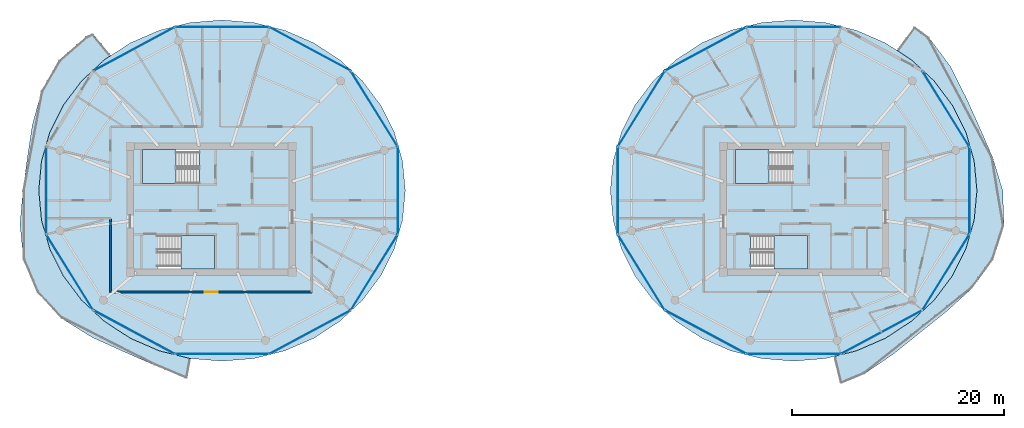
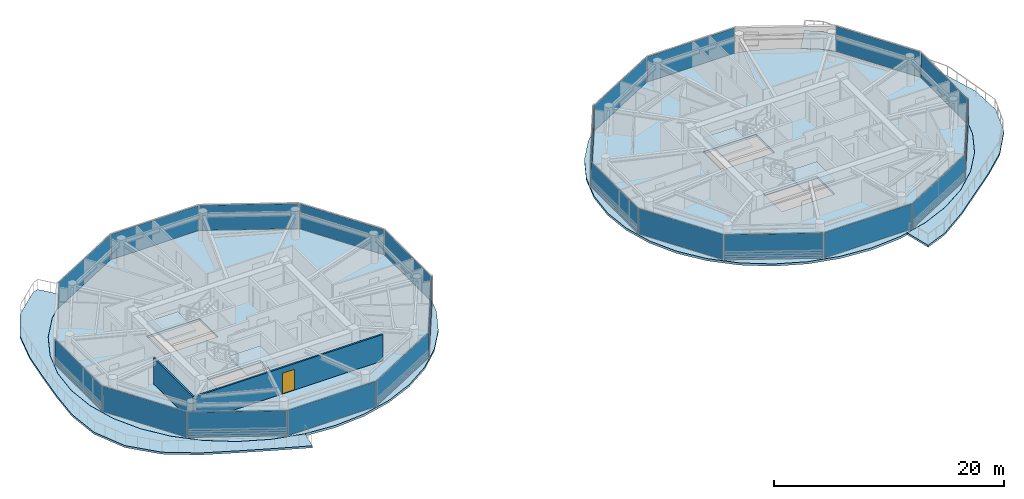
# One storey, part 12 of 23: 22 plates, 8 slabs, 2 walls, 1 door, 1 opening, 26 elements without a shape of their own.
"""IFC4 building model written with IfcOpenShell, lengths in metres."""

from ifc_helpers import new_model, si_unit, direction, frame, frame_2d, origin, origin_2d, place, context, subcontext, project, spatial, polyline, rectangle, outline, extrude, source, transform, mapped, material, layer, layer_set, type_object, type_shapes, element, fill, aggregate, save


model = new_model("IFC4")

# Units and contexts
model_context = context("Model", 3, precision=1e-05, world=origin(), true_north=direction((0.0, 1.0)))
body_context = subcontext(model_context, "Body", "Model", "MODEL_VIEW")
ifc_project = project(units=[si_unit("LENGTHUNIT", "METRE"), si_unit("AREAUNIT", "SQUARE_METRE"), si_unit("VOLUMEUNIT", "CUBIC_METRE"), si_unit("PLANEANGLEUNIT", "RADIAN"), si_unit("MASSUNIT", "GRAM", prefix="KILO")], contexts=[model_context])

# Site, building, storey
site_placement = place(None, origin())
site = spatial("IfcSite", under=ifc_project, at=site_placement, CompositionType="ELEMENT")
building_placement = place(site_placement, origin())
building = spatial("IfcBuilding", under=site, at=building_placement, Name="Norrkilde Senior Care Towers", CompositionType="ELEMENT")
storey_placement = place(building_placement, frame((0.0, 0.0, 164.800048828125)))
storey = spatial("IfcBuildingStorey", under=building, at=storey_placement, Name="L51", CompositionType="ELEMENT", Elevation=164.800048828125)

# Slabs
ifc_material_1 = material(Name="Concrete C50/60", Category="concrete")
ifc_layer_1 = layer(ifc_material_1, 0.215087890625)
ifc_layer_set_1 = layer_set([ifc_layer_1], Name="Concrete C50/60")
slab_type_1 = type_object("IfcSlabType", Name="Sinusoidal Balcony Ribbon Slab 215", PredefinedType="FLOOR", material=ifc_layer_set_1)
slab_1_placement = place(storey_placement, frame((0.0, 0.0, -0.215087890625)))
element("IfcSlab", 1, at=slab_1_placement, inside=storey, type_object=slab_type_1, Name="L51 Drum W Swirling Senior Balcony 1", PredefinedType="FLOOR", context=body_context, shape_type="SweptSolid", body=[
    extrude(outline(polyline([(-33.35009765625, -14.70654296875), (-36.295654296875, -13.415771484375), (-39.271728515625, -12.064453125), (-42.127685546875, -10.28662109375), (-44.41796875, -7.80126953125), (-45.72998046875, -4.708251953125), (-46.046875, -1.406005859375), (-45.77294921875, 1.775390625), (-45.361083984375, 4.82666015625), (-44.894287109375, 7.93212890625), (-44.03076171875, 11.11181640625), (-42.359130859375, 14.046142578125), (-39.798583984375, 16.289794921875), (-39.160888671875, 16.5693359375), (-37.472900390625, 14.52001953125), (-38.098388671875, 14.112548828125), (-40.2314453125, 12.12744140625), (-41.961669921875, 9.827880859375), (-43.236328125, 7.28369140625), (-44.01708984375, 4.572021484375), (-44.280029296875, 1.775390625), (-44.01708984375, -1.021240234375), (-43.236328125, -3.73291015625), (-41.961669921875, -6.277099609375), (-40.2314453125, -8.57666015625), (-38.098388671875, -10.561767578125), (-35.62744140625, -12.171875), (-32.8935546875, -13.3583984375), (-29.97998046875, -14.0849609375), (-29.92431640625, -14.089599609375), (-30.27880859375, -15.995849609375), (-30.29296875, -15.991943359375), (-33.35009765625, -14.70654296875)])), origin(), (0.0, 0.0, 1.0), 0.215087890625),
])
slab_2_placement = place(storey_placement, frame((0.0, 0.0, -0.215087890625)))
element("IfcSlab", 2, at=slab_2_placement, inside=storey, type_object=slab_type_1, Name="L51 Drum E Swirling Senior Balcony 1", PredefinedType="FLOOR", context=body_context, shape_type="SweptSolid", body=[
    extrude(outline(polyline([(43.831787109375, -7.4375), (41.406005859375, -9.635986328125), (38.92724609375, -11.62353515625), (36.415283203125, -13.63818359375), (33.6337890625, -15.5439453125), (31.413818359375, -16.460693359375), (30.78662109375, -13.8837890625), (32.8935546875, -13.3583984375), (35.62744140625, -12.171875), (38.098388671875, -10.561767578125), (40.2314453125, -8.57666015625), (41.961669921875, -6.277099609375), (43.236328125, -3.73291015625), (44.01708984375, -1.021240234375), (44.280029296875, 1.775390625), (44.01708984375, 4.572021484375), (43.236328125, 7.28369140625), (41.961669921875, 9.827880859375), (40.2314453125, 12.12744140625), (38.098388671875, 14.112548828125), (36.7373046875, 14.99951171875), (38.386962890625, 17.234130859375), (39.746337890625, 16.222900390625), (41.765625, 13.510986328125), (43.230224609375, 10.614990234375), (44.510498046875, 7.781982421875), (45.76611328125, 4.9033203125), (46.71533203125, 1.775390625), (46.83203125, -1.5546875), (45.80908203125, -4.7392578125), (43.831787109375, -7.4375)])), origin(), (0.0, 0.0, 1.0), 0.215087890625),
])

# Stair, slab
ifc_material_2 = material(Name="Concrete C45/55", Category="concrete")
stair_type = type_object("IfcStairType", Name="Core Protected Dogleg Stair Typical 3050", PredefinedType="HALF_TURN_STAIR", material=ifc_material_2)
stair_1_placement = place(storey_placement, origin())
stair_1 = element("IfcStair", 3, at=stair_1_placement, inside=storey, type_object=stair_type, Name="L51 Protected Core Stair W1", PredefinedType="HALF_TURN_STAIR")
ifc_layer_2 = layer(ifc_material_2, 0.199951171875)
ifc_layer_set_2 = layer_set([ifc_layer_2], Name="Concrete C45/55")
slab_type_2 = type_object("IfcSlabType", Name="Stair Landing Slab 200", PredefinedType="LANDING", material=ifc_layer_set_2)
slab_3_placement = place(storey_placement, frame((0.0, 0.0, 1.324951171875)))
slab_3 = element("IfcSlab", 4, at=slab_3_placement, type_object=slab_type_2, Name="ST-W1 landing 1", PredefinedType="LANDING", context=body_context, shape_type="SweptSolid", body=[
    extrude(outline(polyline([(-31.340087890625, 5.639892578125), (-34.5, 5.639892578125), (-34.5, 2.449951171875), (-31.340087890625, 2.449951171875), (-31.340087890625, 5.639892578125)])), origin(), (0.0, 0.0, 1.0), 0.199951171875),
])
aggregate(stair_1, [slab_3])

stair_2_placement = place(storey_placement, origin())
stair_2 = element("IfcStair", 5, at=stair_2_placement, inside=storey, type_object=stair_type, Name="L51 Protected Core Stair W2", PredefinedType="HALF_TURN_STAIR")
slab_4_placement = place(storey_placement, frame((0.0, 0.0, 1.324951171875)))
slab_4 = element("IfcSlab", 6, at=slab_4_placement, type_object=slab_type_2, Name="ST-W2 landing 1", PredefinedType="LANDING", context=body_context, shape_type="SweptSolid", body=[
    extrude(outline(polyline([(-30.860107421875, -5.639892578125), (-27.699951171875, -5.639892578125), (-27.699951171875, -2.449951171875), (-30.860107421875, -2.449951171875), (-30.860107421875, -5.639892578125)])), origin(), (0.0, 0.0, 1.0), 0.199951171875),
])
aggregate(stair_2, [slab_4])

stair_3_placement = place(storey_placement, origin())
stair_3 = element("IfcStair", 7, at=stair_3_placement, inside=storey, type_object=stair_type, Name="L51 Protected Core Stair E1", PredefinedType="HALF_TURN_STAIR")
slab_5_placement = place(storey_placement, frame((0.0, 0.0, 1.324951171875)))
slab_5 = element("IfcSlab", 8, at=slab_5_placement, type_object=slab_type_2, Name="ST-E1 landing 1", PredefinedType="LANDING", context=body_context, shape_type="SweptSolid", body=[
    extrude(outline(polyline([(24.659912109375, 5.639892578125), (21.5, 5.639892578125), (21.5, 2.449951171875), (24.659912109375, 2.449951171875), (24.659912109375, 5.639892578125)])), origin(), (0.0, 0.0, 1.0), 0.199951171875),
])
aggregate(stair_3, [slab_5])

stair_4_placement = place(storey_placement, origin())
stair_4 = element("IfcStair", 9, at=stair_4_placement, inside=storey, type_object=stair_type, Name="L51 Protected Core Stair E2", PredefinedType="HALF_TURN_STAIR")
slab_6_placement = place(storey_placement, frame((0.0, 0.0, 1.324951171875)))
slab_6 = element("IfcSlab", 10, at=slab_6_placement, type_object=slab_type_2, Name="ST-E2 landing 1", PredefinedType="LANDING", context=body_context, shape_type="SweptSolid", body=[
    extrude(outline(polyline([(25.139892578125, -5.639892578125), (28.300048828125, -5.639892578125), (28.300048828125, -2.449951171875), (25.139892578125, -2.449951171875), (25.139892578125, -5.639892578125)])), origin(), (0.0, 0.0, 1.0), 0.199951171875),
])
aggregate(stair_4, [slab_6])

# Slabs
ifc_layer_3 = layer(ifc_material_1, 0.239990234375)
ifc_layer_set_3 = layer_set([ifc_layer_3], Name="Concrete C50/60")
slab_type_3 = type_object("IfcSlabType", Name="Tower Residence Floor Slab 240", PredefinedType="FLOOR", material=ifc_layer_set_3)
slab_7_placement = place(storey_placement, frame((0.0, 0.0, -0.239990234375)))
element("IfcSlab", 11, at=slab_7_placement, inside=storey, type_object=slab_type_3, Name="L51 Drum W Structural Floor Slab", PredefinedType="FLOOR", context=body_context, shape_type="SweptSolid", body=[
    extrude(outline(polyline([(-10.71826171875, -3.731201171875), (-11.99267578125, -6.274658203125), (-13.722412109375, -8.573486328125), (-15.854736328125, -10.557861328125), (-18.324951171875, -12.167724609375), (-21.05810546875, -13.353759765625), (-23.970947265625, -14.080078125), (-26.97509765625, -14.32470703125), (-29.97900390625, -14.080078125), (-32.891845703125, -13.353759765625), (-35.625, -12.167724609375), (-38.09521484375, -10.557861328125), (-40.2275390625, -8.573486328125), (-41.957275390625, -6.274658203125), (-43.231689453125, -3.731201171875), (-44.01220703125, -1.020263671875), (-44.27490234375, 1.775390625), (-44.01220703125, 4.571044921875), (-43.231689453125, 7.281982421875), (-41.957275390625, 9.825439453125), (-40.2275390625, 12.124267578125), (-38.09521484375, 14.108642578125), (-35.625, 15.71826171875), (-32.891845703125, 16.904296875), (-29.97900390625, 17.630859375), (-26.97509765625, 17.875244140625), (-23.970947265625, 17.630859375), (-21.05810546875, 16.904296875), (-18.324951171875, 15.71826171875), (-15.854736328125, 14.108642578125), (-13.722412109375, 12.124267578125), (-11.99267578125, 9.825439453125), (-10.71826171875, 7.281982421875), (-9.937744140625, 4.571044921875), (-9.675048828125, 1.775390625), (-9.937744140625, -1.020263671875), (-10.71826171875, -3.731201171875)]), holes=[polyline([(-34.48193359375, 2.468017578125), (-29.117919921875, 2.468017578125), (-29.117919921875, 5.639892578125), (-34.48193359375, 5.639892578125), (-34.48193359375, 2.468017578125)]), polyline([(-27.718017578125, -5.639892578125), (-27.718017578125, -2.468017578125), (-33.08203125, -2.468017578125), (-33.08203125, -5.639892578125), (-27.718017578125, -5.639892578125)])]), origin(), (0.0, 0.0, 1.0), 0.239990234375),
])
slab_8_placement = place(storey_placement, frame((0.0, 0.0, -0.239990234375)))
element("IfcSlab", 12, at=slab_8_placement, inside=storey, type_object=slab_type_3, Name="L51 Drum E Structural Floor Slab", PredefinedType="FLOOR", context=body_context, shape_type="SweptSolid", body=[
    extrude(outline(polyline([(43.231689453125, -3.731201171875), (41.957275390625, -6.274658203125), (40.2275390625, -8.573486328125), (38.09521484375, -10.557861328125), (35.625, -12.167724609375), (32.891845703125, -13.353759765625), (29.97900390625, -14.080078125), (26.97509765625, -14.32470703125), (23.970947265625, -14.080078125), (21.05810546875, -13.353759765625), (18.324951171875, -12.167724609375), (15.854736328125, -10.557861328125), (13.722412109375, -8.573486328125), (11.99267578125, -6.274658203125), (10.71826171875, -3.731201171875), (9.937744140625, -1.020263671875), (9.675048828125, 1.775390625), (9.937744140625, 4.571044921875), (10.71826171875, 7.281982421875), (11.99267578125, 9.825439453125), (13.722412109375, 12.124267578125), (15.854736328125, 14.108642578125), (18.324951171875, 15.71826171875), (21.05810546875, 16.904296875), (23.970947265625, 17.630859375), (26.97509765625, 17.875244140625), (29.97900390625, 17.630859375), (32.891845703125, 16.904296875), (35.625, 15.71826171875), (38.09521484375, 14.108642578125), (40.2275390625, 12.124267578125), (41.957275390625, 9.825439453125), (43.231689453125, 7.281982421875), (44.01220703125, 4.571044921875), (44.27490234375, 1.775390625), (44.01220703125, -1.020263671875), (43.231689453125, -3.731201171875)]), holes=[polyline([(21.51806640625, 2.468017578125), (26.882080078125, 2.468017578125), (26.882080078125, 5.639892578125), (21.51806640625, 5.639892578125), (21.51806640625, 2.468017578125)]), polyline([(28.281982421875, -5.639892578125), (28.281982421875, -2.468017578125), (22.91796875, -2.468017578125), (22.91796875, -5.639892578125), (28.281982421875, -5.639892578125)])]), origin(), (0.0, 0.0, 1.0), 0.239990234375),
])

# Curtain wall, plate
ifc_material_3 = material(Name="Triple Low-E Insulated Glazing", Category="glass")
ifc_layer_4 = layer(ifc_material_3, 0.18994140625)
ifc_layer_set_4 = layer_set([ifc_layer_4], Name="Triple Low-E Insulated Glazing")
curtain_wall_type = type_object("IfcCurtainWallType", Name="CW4 Zone 3 Senior Residence Curtain Wall", PredefinedType="NOTDEFINED", material=ifc_layer_set_4)
curtain_wall_1_placement = place(storey_placement, origin())
curtain_wall_1 = element("IfcCurtainWall", 13, at=curtain_wall_1_placement, inside=storey, type_object=curtain_wall_type, Name="L51 Drum W Curtain Wall 00", PredefinedType="NOTDEFINED")
ifc_layer_5 = layer(ifc_material_3, 0.035888671875)
ifc_layer_set_5 = layer_set([ifc_layer_5], Name="Triple Low-E Insulated Glazing")
plate_type = type_object("IfcPlateType", Name="Triple Low-E Vision Curtain Panel 36", PredefinedType="CURTAIN_PANEL", material=ifc_layer_set_5)
shared_shape_1 = source(origin(), body_context, "Body", "SweptSolid", [
    extrude(rectangle(XDim=8.301513671875, YDim=0.035888671875, at=origin_2d()), origin(), (0.0, 0.0, 1.0), 2.68994140625),
])
plate_1_placement = place(storey_placement, frame((-12.603759765625, 9.4931640625, 0.06005859375), z_axis=(0.0, 0.0, 1.0), x_axis=(0.52737270789, -0.84963405474, 0.0)))
plate_1 = element("IfcPlate", 14, at=plate_1_placement, type_object=plate_type, Name="CW-4 panel 1.1", PredefinedType="CURTAIN_PANEL", context=body_context, shape_type="MappedRepresentation", body=[
    mapped(shared_shape_1, transform((0.0, 0.0, 0.0), x_axis=(1.0, 0.0, 0.0), y_axis=(0.0, 1.0, 0.0), z_axis=(0.0, 0.0, 1.0), scale=1.0)),
])
aggregate(curtain_wall_1, [plate_1])

curtain_wall_2_placement = place(storey_placement, origin())
curtain_wall_2 = element("IfcCurtainWall", 15, at=curtain_wall_2_placement, inside=storey, type_object=curtain_wall_type, Name="L51 Drum W Curtain Wall 06", PredefinedType="NOTDEFINED")
plate_2_placement = place(storey_placement, frame((-41.346435546875, -5.9423828125, 0.06005859375), z_axis=(0.0, 0.0, 1.0), x_axis=(-0.52737270789, 0.84963405474, 0.0)))
plate_2 = element("IfcPlate", 16, at=plate_2_placement, type_object=plate_type, Name="CW-4 panel 1.1", PredefinedType="CURTAIN_PANEL", context=body_context, shape_type="MappedRepresentation", body=[
    mapped(shared_shape_1, transform((0.0, 0.0, 0.0), x_axis=(1.0, 0.0, 0.0), y_axis=(0.0, 1.0, 0.0), z_axis=(0.0, 0.0, 1.0), scale=1.0)),
])
aggregate(curtain_wall_2, [plate_2])

curtain_wall_3_placement = place(storey_placement, origin())
curtain_wall_3 = element("IfcCurtainWall", 17, at=curtain_wall_3_placement, inside=storey, type_object=curtain_wall_type, Name="L51 Drum W Curtain Wall 10", PredefinedType="NOTDEFINED")
plate_3_placement = place(storey_placement, frame((-12.603759765625, -5.9423828125, 0.06005859375), z_axis=(0.0, 0.0, 1.0), x_axis=(-0.52737270789, -0.84963405474, 0.0)))
plate_3 = element("IfcPlate", 18, at=plate_3_placement, type_object=plate_type, Name="CW-4 panel 1.1", PredefinedType="CURTAIN_PANEL", context=body_context, shape_type="MappedRepresentation", body=[
    mapped(shared_shape_1, transform((0.0, 0.0, 0.0), x_axis=(1.0, 0.0, 0.0), y_axis=(0.0, 1.0, 0.0), z_axis=(0.0, 0.0, 1.0), scale=1.0)),
])
aggregate(curtain_wall_3, [plate_3])

curtain_wall_4_placement = place(storey_placement, origin())
curtain_wall_4 = element("IfcCurtainWall", 19, at=curtain_wall_4_placement, inside=storey, type_object=curtain_wall_type, Name="L51 Drum E Curtain Wall 00", PredefinedType="NOTDEFINED")
plate_4_placement = place(storey_placement, frame((41.346435546875, 9.4931640625, 0.06005859375), z_axis=(0.0, 0.0, 1.0), x_axis=(0.52737270789, -0.84963405474, 0.0)))
plate_4 = element("IfcPlate", 20, at=plate_4_placement, type_object=plate_type, Name="CW-4 panel 1.1", PredefinedType="CURTAIN_PANEL", context=body_context, shape_type="MappedRepresentation", body=[
    mapped(shared_shape_1, transform((0.0, 0.0, 0.0), x_axis=(1.0, 0.0, 0.0), y_axis=(0.0, 1.0, 0.0), z_axis=(0.0, 0.0, 1.0), scale=1.0)),
])
aggregate(curtain_wall_4, [plate_4])

curtain_wall_5_placement = place(storey_placement, origin())
curtain_wall_5 = element("IfcCurtainWall", 21, at=curtain_wall_5_placement, inside=storey, type_object=curtain_wall_type, Name="L51 Drum E Curtain Wall 04", PredefinedType="NOTDEFINED")
plate_5_placement = place(storey_placement, frame((12.603759765625, 9.4931640625, 0.06005859375), z_axis=(0.0, 0.0, 1.0), x_axis=(0.52737270789, 0.84963405474, 0.0)))
plate_5 = element("IfcPlate", 22, at=plate_5_placement, type_object=plate_type, Name="CW-4 panel 1.1", PredefinedType="CURTAIN_PANEL", context=body_context, shape_type="MappedRepresentation", body=[
    mapped(shared_shape_1, transform((0.0, 0.0, 0.0), x_axis=(1.0, 0.0, 0.0), y_axis=(0.0, 1.0, 0.0), z_axis=(0.0, 0.0, 1.0), scale=1.0)),
])
aggregate(curtain_wall_5, [plate_5])

curtain_wall_6_placement = place(storey_placement, origin())
curtain_wall_6 = element("IfcCurtainWall", 23, at=curtain_wall_6_placement, inside=storey, type_object=curtain_wall_type, Name="L51 Drum E Curtain Wall 06", PredefinedType="NOTDEFINED")
plate_6_placement = place(storey_placement, frame((12.603759765625, -5.9423828125, 0.06005859375), z_axis=(0.0, 0.0, 1.0), x_axis=(-0.52737270789, 0.84963405474, 0.0)))
plate_6 = element("IfcPlate", 24, at=plate_6_placement, type_object=plate_type, Name="CW-4 panel 1.1", PredefinedType="CURTAIN_PANEL", context=body_context, shape_type="MappedRepresentation", body=[
    mapped(shared_shape_1, transform((0.0, 0.0, 0.0), x_axis=(1.0, 0.0, 0.0), y_axis=(0.0, 1.0, 0.0), z_axis=(0.0, 0.0, 1.0), scale=1.0)),
])
aggregate(curtain_wall_6, [plate_6])

curtain_wall_7_placement = place(storey_placement, origin())
curtain_wall_7 = element("IfcCurtainWall", 25, at=curtain_wall_7_placement, inside=storey, type_object=curtain_wall_type, Name="L51 Drum E Curtain Wall 10", PredefinedType="NOTDEFINED")
plate_7_placement = place(storey_placement, frame((41.346435546875, -5.9423828125, 0.06005859375), z_axis=(0.0, 0.0, 1.0), x_axis=(-0.52737270789, -0.84963405474, 0.0)))
plate_7 = element("IfcPlate", 26, at=plate_7_placement, type_object=plate_type, Name="CW-4 panel 1.1", PredefinedType="CURTAIN_PANEL", context=body_context, shape_type="MappedRepresentation", body=[
    mapped(shared_shape_1, transform((0.0, 0.0, 0.0), x_axis=(1.0, 0.0, 0.0), y_axis=(0.0, 1.0, 0.0), z_axis=(0.0, 0.0, 1.0), scale=1.0)),
])
aggregate(curtain_wall_7, [plate_7])

curtain_wall_8_placement = place(storey_placement, origin())
curtain_wall_8 = element("IfcCurtainWall", 27, at=curtain_wall_8_placement, inside=storey, type_object=curtain_wall_type, Name="L51 Drum W Curtain Wall 01", PredefinedType="NOTDEFINED")
shared_shape_2 = source(origin(), body_context, "Body", "SweptSolid", [
    extrude(rectangle(XDim=8.61181640625, YDim=0.035888671875, at=origin_2d()), origin(), (0.0, 0.0, 1.0), 2.68994140625),
])
plate_8_placement = place(storey_placement, frame((-18.677734375, 15.142822265625, 0.06005859375), z_axis=(0.0, 0.0, 1.0), x_axis=(0.880999524059, -0.47311715104, 0.0)))
plate_8 = element("IfcPlate", 28, at=plate_8_placement, type_object=plate_type, Name="CW-4 panel 1.1", PredefinedType="CURTAIN_PANEL", context=body_context, shape_type="MappedRepresentation", body=[
    mapped(shared_shape_2, transform((0.0, 0.0, 0.0), x_axis=(1.0, 0.0, 0.0), y_axis=(0.0, 1.0, 0.0), z_axis=(0.0, 0.0, 1.0), scale=1.0)),
])
aggregate(curtain_wall_8, [plate_8])

curtain_wall_9_placement = place(storey_placement, origin())
curtain_wall_9 = element("IfcCurtainWall", 29, at=curtain_wall_9_placement, inside=storey, type_object=curtain_wall_type, Name="L51 Drum W Curtain Wall 03", PredefinedType="NOTDEFINED")
plate_9_placement = place(storey_placement, frame((-35.272216796875, 15.142822265625, 0.06005859375), z_axis=(0.0, 0.0, 1.0), x_axis=(0.880999524059, 0.47311715104, 0.0)))
plate_9 = element("IfcPlate", 30, at=plate_9_placement, type_object=plate_type, Name="CW-4 panel 1.1", PredefinedType="CURTAIN_PANEL", context=body_context, shape_type="MappedRepresentation", body=[
    mapped(shared_shape_2, transform((0.0, 0.0, 0.0), x_axis=(1.0, 0.0, 0.0), y_axis=(0.0, 1.0, 0.0), z_axis=(0.0, 0.0, 1.0), scale=1.0)),
])
aggregate(curtain_wall_9, [plate_9])

curtain_wall_10_placement = place(storey_placement, origin())
curtain_wall_10 = element("IfcCurtainWall", 31, at=curtain_wall_10_placement, inside=storey, type_object=curtain_wall_type, Name="L51 Drum W Curtain Wall 07", PredefinedType="NOTDEFINED")
plate_10_placement = place(storey_placement, frame((-35.272216796875, -11.59228515625, 0.06005859375), z_axis=(0.0, 0.0, 1.0), x_axis=(-0.880999524059, 0.47311715104, 0.0)))
plate_10 = element("IfcPlate", 32, at=plate_10_placement, type_object=plate_type, Name="CW-4 panel 1.1", PredefinedType="CURTAIN_PANEL", context=body_context, shape_type="MappedRepresentation", body=[
    mapped(shared_shape_2, transform((0.0, 0.0, 0.0), x_axis=(1.0, 0.0, 0.0), y_axis=(0.0, 1.0, 0.0), z_axis=(0.0, 0.0, 1.0), scale=1.0)),
])
aggregate(curtain_wall_10, [plate_10])

curtain_wall_11_placement = place(storey_placement, origin())
curtain_wall_11 = element("IfcCurtainWall", 33, at=curtain_wall_11_placement, inside=storey, type_object=curtain_wall_type, Name="L51 Drum W Curtain Wall 09", PredefinedType="NOTDEFINED")
plate_11_placement = place(storey_placement, frame((-18.677734375, -11.59228515625, 0.06005859375), z_axis=(0.0, 0.0, 1.0), x_axis=(-0.880999524059, -0.47311715104, 0.0)))
plate_11 = element("IfcPlate", 34, at=plate_11_placement, type_object=plate_type, Name="CW-4 panel 1.1", PredefinedType="CURTAIN_PANEL", context=body_context, shape_type="MappedRepresentation", body=[
    mapped(shared_shape_2, transform((0.0, 0.0, 0.0), x_axis=(1.0, 0.0, 0.0), y_axis=(0.0, 1.0, 0.0), z_axis=(0.0, 0.0, 1.0), scale=1.0)),
])
aggregate(curtain_wall_11, [plate_11])

curtain_wall_12_placement = place(storey_placement, origin())
curtain_wall_12 = element("IfcCurtainWall", 35, at=curtain_wall_12_placement, inside=storey, type_object=curtain_wall_type, Name="L51 Drum E Curtain Wall 03", PredefinedType="NOTDEFINED")
plate_12_placement = place(storey_placement, frame((18.677734375, 15.142822265625, 0.06005859375), z_axis=(0.0, 0.0, 1.0), x_axis=(0.880999524059, 0.47311715104, 0.0)))
plate_12 = element("IfcPlate", 36, at=plate_12_placement, type_object=plate_type, Name="CW-4 panel 1.1", PredefinedType="CURTAIN_PANEL", context=body_context, shape_type="MappedRepresentation", body=[
    mapped(shared_shape_2, transform((0.0, 0.0, 0.0), x_axis=(1.0, 0.0, 0.0), y_axis=(0.0, 1.0, 0.0), z_axis=(0.0, 0.0, 1.0), scale=1.0)),
])
aggregate(curtain_wall_12, [plate_12])

curtain_wall_13_placement = place(storey_placement, origin())
curtain_wall_13 = element("IfcCurtainWall", 37, at=curtain_wall_13_placement, inside=storey, type_object=curtain_wall_type, Name="L51 Drum E Curtain Wall 07", PredefinedType="NOTDEFINED")
plate_13_placement = place(storey_placement, frame((18.677734375, -11.59228515625, 0.06005859375), z_axis=(0.0, 0.0, 1.0), x_axis=(-0.880999524059, 0.47311715104, 0.0)))
plate_13 = element("IfcPlate", 38, at=plate_13_placement, type_object=plate_type, Name="CW-4 panel 1.1", PredefinedType="CURTAIN_PANEL", context=body_context, shape_type="MappedRepresentation", body=[
    mapped(shared_shape_2, transform((0.0, 0.0, 0.0), x_axis=(1.0, 0.0, 0.0), y_axis=(0.0, 1.0, 0.0), z_axis=(0.0, 0.0, 1.0), scale=1.0)),
])
aggregate(curtain_wall_13, [plate_13])

curtain_wall_14_placement = place(storey_placement, origin())
curtain_wall_14 = element("IfcCurtainWall", 39, at=curtain_wall_14_placement, inside=storey, type_object=curtain_wall_type, Name="L51 Drum E Curtain Wall 09", PredefinedType="NOTDEFINED")
plate_14_placement = place(storey_placement, frame((35.272216796875, -11.59228515625, 0.06005859375), z_axis=(0.0, 0.0, 1.0), x_axis=(-0.880999524059, -0.47311715104, 0.0)))
plate_14 = element("IfcPlate", 40, at=plate_14_placement, type_object=plate_type, Name="CW-4 panel 1.1", PredefinedType="CURTAIN_PANEL", context=body_context, shape_type="MappedRepresentation", body=[
    mapped(shared_shape_2, transform((0.0, 0.0, 0.0), x_axis=(1.0, 0.0, 0.0), y_axis=(0.0, 1.0, 0.0), z_axis=(0.0, 0.0, 1.0), scale=1.0)),
])
aggregate(curtain_wall_14, [plate_14])

curtain_wall_15_placement = place(storey_placement, origin())
curtain_wall_15 = element("IfcCurtainWall", 41, at=curtain_wall_15_placement, inside=storey, type_object=curtain_wall_type, Name="L51 Drum W Curtain Wall 02", PredefinedType="NOTDEFINED")
shared_shape_3 = source(origin(), body_context, "Body", "SweptSolid", [
    extrude(rectangle(XDim=8.762939453125, YDim=0.035888671875, at=origin_2d()), origin(), (0.0, 0.0, 1.0), 2.68994140625),
])
plate_15_placement = place(storey_placement, frame((-26.97509765625, 17.2109375, 0.06005859375), z_axis=(0.0, 0.0, 1.0), x_axis=(1.0, 0.0, 0.0)))
plate_15 = element("IfcPlate", 42, at=plate_15_placement, type_object=plate_type, Name="CW-4 panel 1.1", PredefinedType="CURTAIN_PANEL", context=body_context, shape_type="MappedRepresentation", body=[
    mapped(shared_shape_3, transform((0.0, 0.0, 0.0), x_axis=(1.0, 0.0, 0.0), y_axis=(0.0, 1.0, 0.0), z_axis=(0.0, 0.0, 1.0), scale=1.0)),
])
aggregate(curtain_wall_15, [plate_15])

curtain_wall_16_placement = place(storey_placement, origin())
curtain_wall_16 = element("IfcCurtainWall", 43, at=curtain_wall_16_placement, inside=storey, type_object=curtain_wall_type, Name="L51 Drum W Curtain Wall 08", PredefinedType="NOTDEFINED")
plate_16_placement = place(storey_placement, frame((-26.97509765625, -13.66015625, 0.06005859375), z_axis=(0.0, 0.0, 1.0), x_axis=(-1.0, 0.0, 0.0)))
plate_16 = element("IfcPlate", 44, at=plate_16_placement, type_object=plate_type, Name="CW-4 panel 1.1", PredefinedType="CURTAIN_PANEL", context=body_context, shape_type="MappedRepresentation", body=[
    mapped(shared_shape_3, transform((0.0, 0.0, 0.0), x_axis=(1.0, 0.0, 0.0), y_axis=(0.0, 1.0, 0.0), z_axis=(0.0, 0.0, 1.0), scale=1.0)),
])
aggregate(curtain_wall_16, [plate_16])

curtain_wall_17_placement = place(storey_placement, origin())
curtain_wall_17 = element("IfcCurtainWall", 45, at=curtain_wall_17_placement, inside=storey, type_object=curtain_wall_type, Name="L51 Drum E Curtain Wall 02", PredefinedType="NOTDEFINED")
plate_17_placement = place(storey_placement, frame((26.97509765625, 17.2109375, 0.06005859375), z_axis=(0.0, 0.0, 1.0), x_axis=(1.0, 0.0, 0.0)))
plate_17 = element("IfcPlate", 46, at=plate_17_placement, type_object=plate_type, Name="CW-4 panel 1.1", PredefinedType="CURTAIN_PANEL", context=body_context, shape_type="MappedRepresentation", body=[
    mapped(shared_shape_3, transform((0.0, 0.0, 0.0), x_axis=(1.0, 0.0, 0.0), y_axis=(0.0, 1.0, 0.0), z_axis=(0.0, 0.0, 1.0), scale=1.0)),
])
aggregate(curtain_wall_17, [plate_17])

curtain_wall_18_placement = place(storey_placement, origin())
curtain_wall_18 = element("IfcCurtainWall", 47, at=curtain_wall_18_placement, inside=storey, type_object=curtain_wall_type, Name="L51 Drum E Curtain Wall 08", PredefinedType="NOTDEFINED")
plate_18_placement = place(storey_placement, frame((26.97509765625, -13.66015625, 0.06005859375), z_axis=(0.0, 0.0, 1.0), x_axis=(-1.0, 0.0, 0.0)))
plate_18 = element("IfcPlate", 48, at=plate_18_placement, type_object=plate_type, Name="CW-4 panel 1.1", PredefinedType="CURTAIN_PANEL", context=body_context, shape_type="MappedRepresentation", body=[
    mapped(shared_shape_3, transform((0.0, 0.0, 0.0), x_axis=(1.0, 0.0, 0.0), y_axis=(0.0, 1.0, 0.0), z_axis=(0.0, 0.0, 1.0), scale=1.0)),
])
aggregate(curtain_wall_18, [plate_18])

curtain_wall_19_placement = place(storey_placement, origin())
curtain_wall_19 = element("IfcCurtainWall", 49, at=curtain_wall_19_placement, inside=storey, type_object=curtain_wall_type, Name="L51 Drum W Curtain Wall 05", PredefinedType="NOTDEFINED")
shared_shape_4 = source(origin(), body_context, "Body", "SweptSolid", [
    extrude(rectangle(XDim=8.141845703125, YDim=0.035888671875, at=origin_2d()), origin(), (0.0, 0.0, 1.0), 2.68994140625),
])
type_shapes(plate_type, [shared_shape_1, shared_shape_2, shared_shape_3, shared_shape_4])
plate_19_placement = place(storey_placement, frame((-43.569580078125, 1.775390625, 0.06005859375), z_axis=(0.0, 0.0, 1.0), x_axis=(0.0, 1.0, 0.0)))
plate_19 = element("IfcPlate", 50, at=plate_19_placement, type_object=plate_type, Name="CW-4 panel 1.1", PredefinedType="CURTAIN_PANEL", context=body_context, shape_type="MappedRepresentation", body=[
    mapped(shared_shape_4, transform((0.0, 0.0, 0.0), x_axis=(1.0, 0.0, 0.0), y_axis=(0.0, 1.0, 0.0), z_axis=(0.0, 0.0, 1.0), scale=1.0)),
])
aggregate(curtain_wall_19, [plate_19])

curtain_wall_20_placement = place(storey_placement, origin())
curtain_wall_20 = element("IfcCurtainWall", 51, at=curtain_wall_20_placement, inside=storey, type_object=curtain_wall_type, Name="L51 Drum W Curtain Wall 11", PredefinedType="NOTDEFINED")
plate_20_placement = place(storey_placement, frame((-10.38037109375, 1.775390625, 0.06005859375), z_axis=(0.0, 0.0, 1.0), x_axis=(0.0, -1.0, 0.0)))
plate_20 = element("IfcPlate", 52, at=plate_20_placement, type_object=plate_type, Name="CW-4 panel 1.1", PredefinedType="CURTAIN_PANEL", context=body_context, shape_type="MappedRepresentation", body=[
    mapped(shared_shape_4, transform((0.0, 0.0, 0.0), x_axis=(1.0, 0.0, 0.0), y_axis=(0.0, 1.0, 0.0), z_axis=(0.0, 0.0, 1.0), scale=1.0)),
])
aggregate(curtain_wall_20, [plate_20])

curtain_wall_21_placement = place(storey_placement, origin())
curtain_wall_21 = element("IfcCurtainWall", 53, at=curtain_wall_21_placement, inside=storey, type_object=curtain_wall_type, Name="L51 Drum E Curtain Wall 05", PredefinedType="NOTDEFINED")
plate_21_placement = place(storey_placement, frame((10.38037109375, 1.775390625, 0.06005859375), z_axis=(0.0, 0.0, 1.0), x_axis=(0.0, 1.0, 0.0)))
plate_21 = element("IfcPlate", 54, at=plate_21_placement, type_object=plate_type, Name="CW-4 panel 1.1", PredefinedType="CURTAIN_PANEL", context=body_context, shape_type="MappedRepresentation", body=[
    mapped(shared_shape_4, transform((0.0, 0.0, 0.0), x_axis=(1.0, 0.0, 0.0), y_axis=(0.0, 1.0, 0.0), z_axis=(0.0, 0.0, 1.0), scale=1.0)),
])
aggregate(curtain_wall_21, [plate_21])

curtain_wall_22_placement = place(storey_placement, origin())
curtain_wall_22 = element("IfcCurtainWall", 55, at=curtain_wall_22_placement, inside=storey, type_object=curtain_wall_type, Name="L51 Drum E Curtain Wall 11", PredefinedType="NOTDEFINED")
plate_22_placement = place(storey_placement, frame((43.569580078125, 1.775390625, 0.06005859375), z_axis=(0.0, 0.0, 1.0), x_axis=(0.0, -1.0, 0.0)))
plate_22 = element("IfcPlate", 56, at=plate_22_placement, type_object=plate_type, Name="CW-4 panel 1.1", PredefinedType="CURTAIN_PANEL", context=body_context, shape_type="MappedRepresentation", body=[
    mapped(shared_shape_4, transform((0.0, 0.0, 0.0), x_axis=(1.0, 0.0, 0.0), y_axis=(0.0, 1.0, 0.0), z_axis=(0.0, 0.0, 1.0), scale=1.0)),
])
aggregate(curtain_wall_22, [plate_22])

# Wall, opening, door
ifc_material_4 = material(Name="Gypsum Acoustic Board")
ifc_layer_6 = layer(ifc_material_4, 0.1650390625)
ifc_layer_set_6 = layer_set([ifc_layer_6], Name="Gypsum Acoustic Board")
wall_type = type_object("IfcWallType", Name="Corridor Rated Partition 165", PredefinedType="PARTITIONING", material=ifc_layer_set_6)
shared_shape_5 = source(origin(), body_context, "Body", "SweptSolid", [
    extrude(rectangle(XDim=19.0, YDim=0.1650390625, at=frame_2d((9.5, 0.0))), origin(), (0.0, 0.0, 1.0), 2.794921875),
])
wall_1_placement = place(storey_placement, frame((-18.5, -7.800048828125, 0.0), z_axis=(0.0, 0.0, 1.0), x_axis=(-1.0, 0.0, 0.0)))
wall_1 = element("IfcWall", 57, at=wall_1_placement, inside=storey, type_object=wall_type, Name="WL-INT-L51-W-CRW-S-0", PredefinedType="PARTITIONING", context=body_context, shape_type="MappedRepresentation", body=[
    mapped(shared_shape_5, transform((0.0, 0.0, 0.0), x_axis=(1.0, 0.0, 0.0), y_axis=(0.0, 1.0, 0.0), z_axis=(0.0, 0.0, 1.0), scale=1.0)),
])
opening_placement = place(wall_1_placement, frame((8.875, 0.0, 0.0)))
opening = element("IfcOpeningElement", 58, at=opening_placement, cuts=wall_1, Name="Opening D-05", PredefinedType="OPENING", context=body_context, shape_type="SweptSolid", body=[
    extrude(rectangle(XDim=1.25, YDim=2.199951171875, at=frame_2d((0.625, 1.10009765625))), frame((0.0, 0.092529296875, 0.0), z_axis=(0.0, -1.0, 0.0), x_axis=(1.0, 0.0, 0.0)), (0.0, 0.0, 1.0), 0.18505859375),
])
ifc_material_5 = material(Name="Nordic Ash Timber", Category="wood")
door_type = type_object("IfcDoorType", Name="Care Bedroom Bariatric Door 1250x2200", OperationType="NOTDEFINED", PredefinedType="DOOR", material=ifc_material_5)
shared_shape_6 = source(origin(), body_context, "Body", "SweptSolid", [
    extrude(rectangle(XDim=1.25, YDim=2.199951171875, at=frame_2d((0.625, 1.10009765625))), frame((0.0, 0.02490234375, 0.0), z_axis=(0.0, -1.0, 0.0), x_axis=(1.0, 0.0, 0.0)), (0.0, 0.0, 1.0), 0.050048828125),
])
type_shapes(door_type, [shared_shape_6])
door_placement = place(opening_placement, frame((1.25, 0.0, 0.0), z_axis=(0.0, 0.0, 1.0), x_axis=(-1.0, 0.0, 0.0)))
door = element("IfcDoor", 59, at=door_placement, inside=storey, type_object=door_type, Name="L51 Household Communal Dining Salon Door", OperationType="SINGLE_SWING_LEFT", OverallHeight=2.199951171875, OverallWidth=1.25, PredefinedType="DOOR", context=body_context, shape_type="MappedRepresentation", body=[
    mapped(shared_shape_6, transform((0.0, 0.0, 0.0), x_axis=(1.0, 0.0, 0.0), y_axis=(0.0, 1.0, 0.0), z_axis=(0.0, 0.0, 1.0), scale=1.0)),
])
fill(opening, door)

# Wall
shared_shape_7 = source(origin(), body_context, "Body", "SweptSolid", [
    extrude(rectangle(XDim=6.880126953125, YDim=0.1650390625, at=frame_2d((3.43994140625, 0.0))), origin(), (0.0, 0.0, 1.0), 2.794921875),
])
type_shapes(wall_type, [shared_shape_5, shared_shape_7])
wall_2_placement = place(storey_placement, frame((-37.5, -7.800048828125, 0.0), z_axis=(0.0, 0.0, 1.0), x_axis=(0.0, 1.0, 0.0)))
element("IfcWall", 60, at=wall_2_placement, inside=storey, type_object=wall_type, Name="WL-INT-L51-W-CRW-W-0", PredefinedType="PARTITIONING", context=body_context, shape_type="MappedRepresentation", body=[
    mapped(shared_shape_7, transform((0.0, 0.0, 0.0), x_axis=(1.0, 0.0, 0.0), y_axis=(0.0, 1.0, 0.0), z_axis=(0.0, 0.0, 1.0), scale=1.0)),
])

save(model, "model.ifc")
